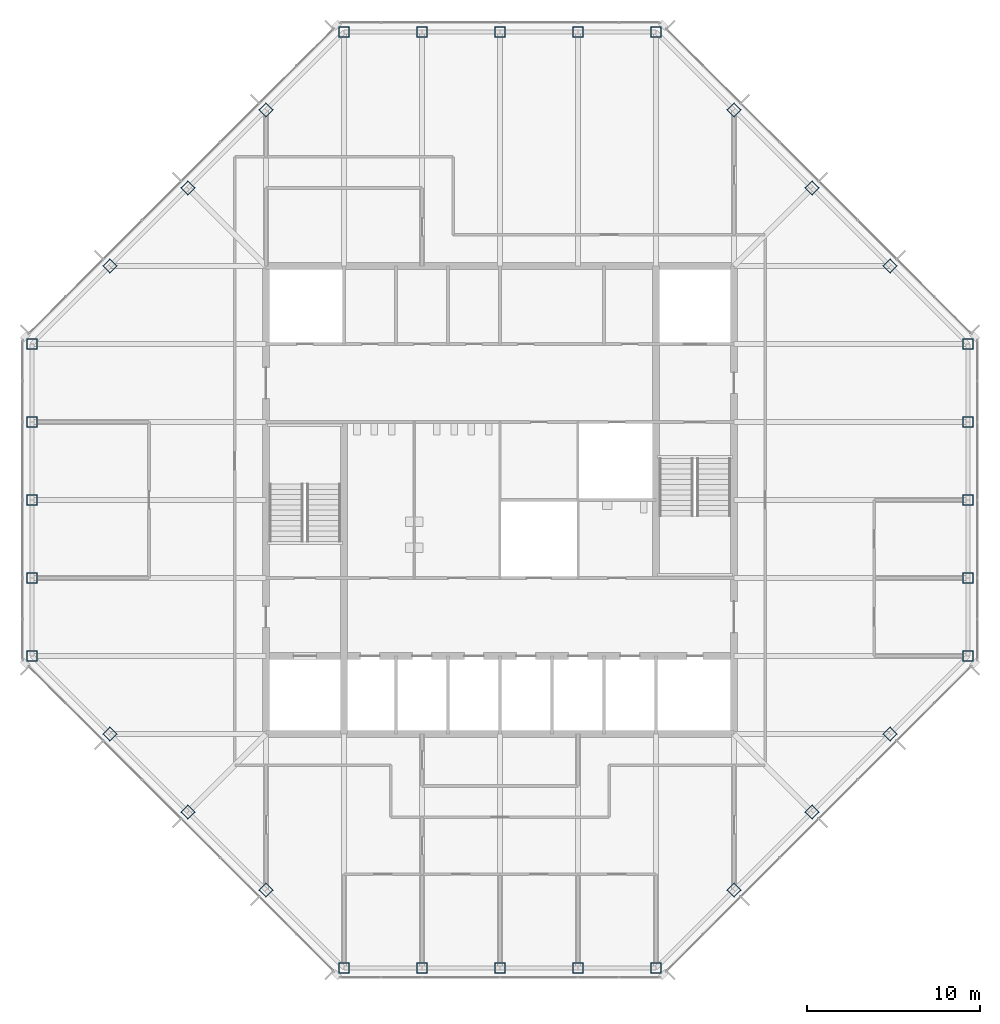
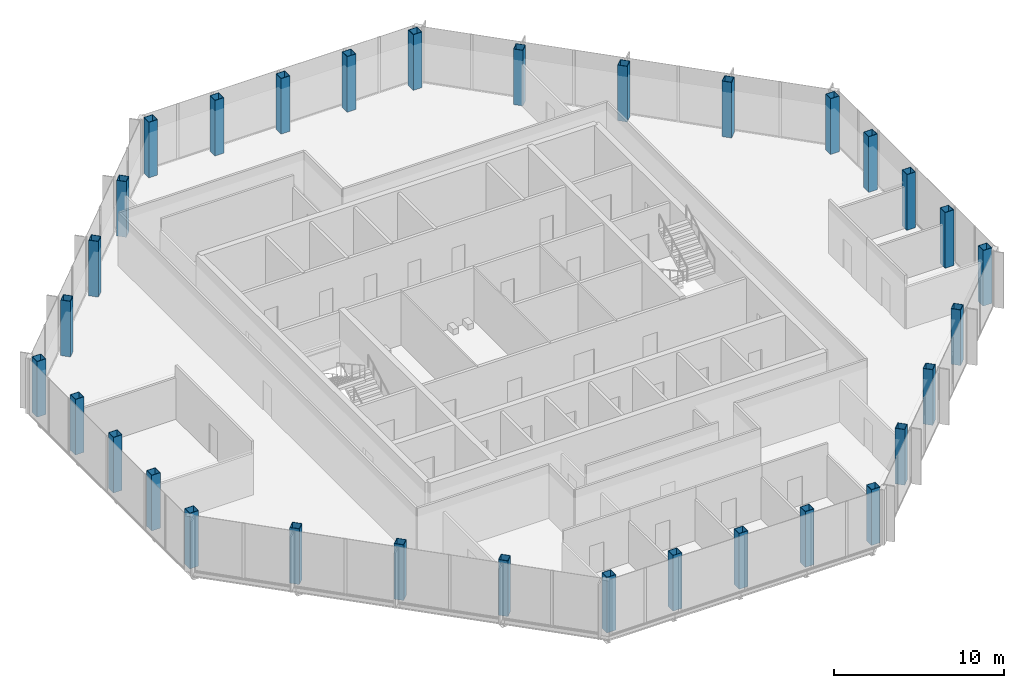
# One storey, part 1 of 13: 32 columns.
"""IFC4 building model written with IfcOpenShell, lengths in metres."""

from ifc_helpers import new_model, si_unit, direction, frame, origin, origin_2d, place, context, subcontext, project, spatial, hollow_rectangle, extrude, material, material_profile, profile_set, type_object, element, save


model = new_model("IFC4")

# Units and contexts
model_context = context("Model", 3, precision=1e-05, world=origin(), true_north=direction((0.0, 1.0)))
body_context = subcontext(model_context, "Body", "Model", "MODEL_VIEW")
ifc_project = project(units=[si_unit("LENGTHUNIT", "METRE"), si_unit("AREAUNIT", "SQUARE_METRE"), si_unit("VOLUMEUNIT", "CUBIC_METRE"), si_unit("PLANEANGLEUNIT", "RADIAN"), si_unit("MASSUNIT", "GRAM", prefix="KILO")], contexts=[model_context])

# Site, building, storey
site_placement = place(None, origin())
site = spatial("IfcSite", under=ifc_project, at=site_placement, CompositionType="ELEMENT")
building_placement = place(site_placement, origin())
building = spatial("IfcBuilding", under=site, at=building_placement, Name="Corais Broadcast Tower", CompositionType="ELEMENT")
storey_placement = place(building_placement, frame((0.0, 0.0, 274.60009765625)))
storey = spatial("IfcBuildingStorey", under=building, at=storey_placement, Name="L64", CompositionType="ELEMENT", Elevation=274.60009765625)

# Columns
ifc_material = material(Name="Steel ASTM A572 Grade 50", Category="steel")
ifc_material_profile = material_profile(ifc_material, hollow_rectangle(XDim=0.60009765625, YDim=0.60009765625, WallThickness=0.028076171875, at=origin_2d()), Name="BOX 600x600x28")
ifc_profile_set = profile_set([ifc_material_profile], Name="Steel ASTM A572 Grade 50")
column_type = type_object("IfcColumnType", Name="Column BOX 600x600x28", PredefinedType="COLUMN", material=ifc_profile_set)
for number, where, z_axis, x_axis, name in (
    (1, (18.0, 0.0, 0.0), (0.0, 0.0, 1.0), (1.0, 0.0, 0.0), "C7 A/7"),
    (2, (22.5, 0.0, 0.0), (0.0, 0.0, 1.0), (1.0, 0.0, 0.0), "C7 A/8"),
    (3, (27.0, 0.0, 0.0), (0.0, 0.0, 1.0), (1.0, 0.0, 0.0), "C7 A/9"),
    (4, (31.5, 0.0, 0.0), (0.0, 0.0, 1.0), (1.0, 0.0, 0.0), "C7 A/10"),
    (5, (36.0, 0.0, 0.0), (0.0, 0.0, 1.0), (1.0, 0.0, 0.0), "C7 A/11"),
    (6, (54.0, 18.0, 0.0), (0.0, 0.0, 1.0), (1.0, 0.0, 0.0), "C7 E/15"),
    (7, (54.0, 22.5, 0.0), (0.0, 0.0, 1.0), (1.0, 0.0, 0.0), "C7 F/15"),
    (8, (54.0, 27.0, 0.0), (0.0, 0.0, 1.0), (1.0, 0.0, 0.0), "C7 G/15"),
    (9, (54.0, 31.5, 0.0), (0.0, 0.0, 1.0), (1.0, 0.0, 0.0), "C7 H/15"),
    (10, (54.0, 36.0, 0.0), (0.0, 0.0, 1.0), (1.0, 0.0, 0.0), "C7 J/15"),
    (11, (36.0, 54.0, 0.0), (0.0, 0.0, 1.0), (1.0, 0.0, 0.0), "C7 N/11"),
    (12, (31.5, 54.0, 0.0), (0.0, 0.0, 1.0), (1.0, 0.0, 0.0), "C7 N/10"),
    (13, (27.0, 54.0, 0.0), (0.0, 0.0, 1.0), (1.0, 0.0, 0.0), "C7 N/9"),
    (14, (22.5, 54.0, 0.0), (0.0, 0.0, 1.0), (1.0, 0.0, 0.0), "C7 N/8"),
    (15, (18.0, 54.0, 0.0), (0.0, 0.0, 1.0), (1.0, 0.0, 0.0), "C7 N/7"),
    (16, (0.0, 36.0, 0.0), (0.0, 0.0, 1.0), (1.0, 0.0, 0.0), "C7 J/3"),
    (17, (0.0, 31.5, 0.0), (0.0, 0.0, 1.0), (1.0, 0.0, 0.0), "C7 H/3"),
    (18, (0.0, 27.0, 0.0), (0.0, 0.0, 1.0), (1.0, 0.0, 0.0), "C7 G/3"),
    (19, (0.0, 22.5, 0.0), (0.0, 0.0, 1.0), (1.0, 0.0, 0.0), "C7 F/3"),
    (20, (0.0, 18.0, 0.0), (0.0, 0.0, 1.0), (1.0, 0.0, 0.0), "C7 E/3"),
    (21, (13.5, 4.5, 0.0), (0.0, 0.0, 1.0), (0.707106781187, 0.707106781187, 0.0), "C7 B/6"),
    (22, (9.0, 9.0, 0.0), (0.0, 0.0, 1.0), (0.707106781187, 0.707106781187, 0.0), "C7 C/5"),
    (23, (4.5, 13.5, 0.0), (0.0, 0.0, 1.0), (0.707106781187, 0.707106781187, 0.0), "C7 D/4"),
    (24, (40.5, 4.5, 0.0), (0.0, 0.0, 1.0), (0.707106781187, 0.707106781187, 0.0), "C7 B/12"),
    (25, (45.0, 9.0, 0.0), (0.0, 0.0, 1.0), (0.707106781187, 0.707106781187, 0.0), "C7 C/13"),
    (26, (49.5, 13.5, 0.0), (0.0, 0.0, 1.0), (0.707106781187, 0.707106781187, 0.0), "C7 D/14"),
    (27, (49.5, 40.5, 0.0), (0.0, 0.0, 1.0), (0.707106781187, 0.707106781187, 0.0), "C7 K/14"),
    (28, (45.0, 45.0, 0.0), (0.0, 0.0, 1.0), (0.707106781187, 0.707106781187, 0.0), "C7 L/13"),
    (29, (40.5, 49.5, 0.0), (0.0, 0.0, 1.0), (0.707106781187, 0.707106781187, 0.0), "C7 M/12"),
    (30, (4.5, 40.5, 0.0), (0.0, 0.0, 1.0), (0.707106781187, 0.707106781187, 0.0), "C7 K/4"),
    (31, (9.0, 45.0, 0.0), (0.0, 0.0, 1.0), (0.707106781187, 0.707106781187, 0.0), "C7 L/5"),
    (32, (13.5, 49.5, 0.0), (0.0, 0.0, 1.0), (0.707106781187, 0.707106781187, 0.0), "C7 M/6"),
):
    element("IfcColumn", number, at=place(storey_placement, frame(where, z_axis=z_axis, x_axis=x_axis)), inside=storey, type_object=column_type, Name=name, PredefinedType="COLUMN", context=body_context, shape_type="SweptSolid", body=[
        extrude(hollow_rectangle(XDim=0.60009765625, YDim=0.60009765625, WallThickness=0.028076171875, at=origin_2d()), origin(), (0.0, 0.0, 1.0), 4.0),
    ])

save(model, "model.ifc")
